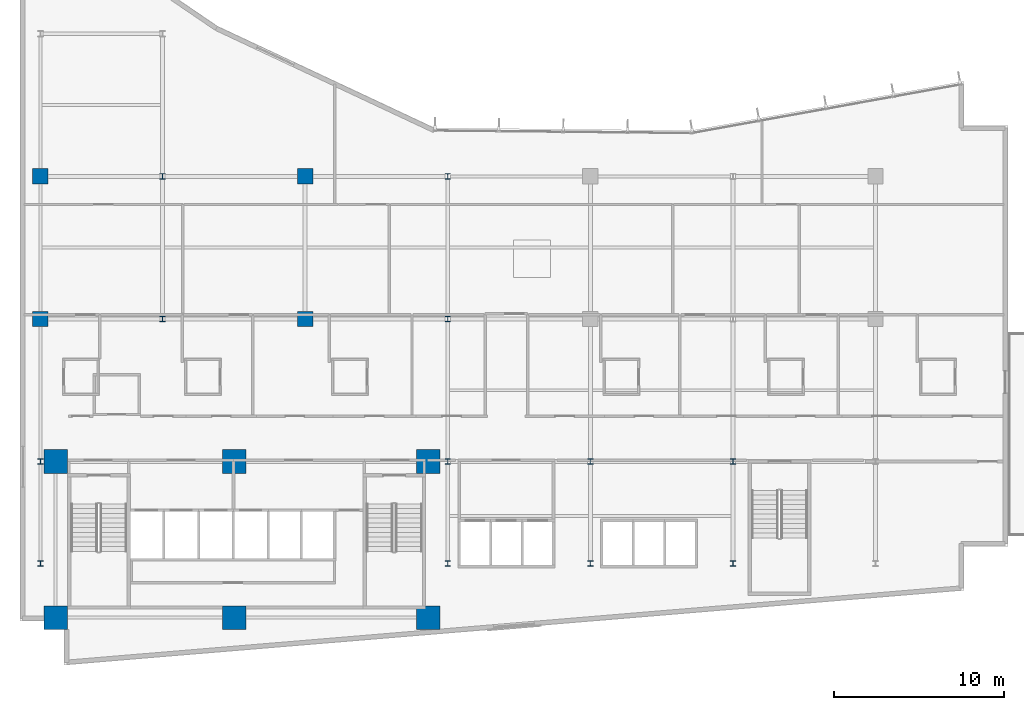
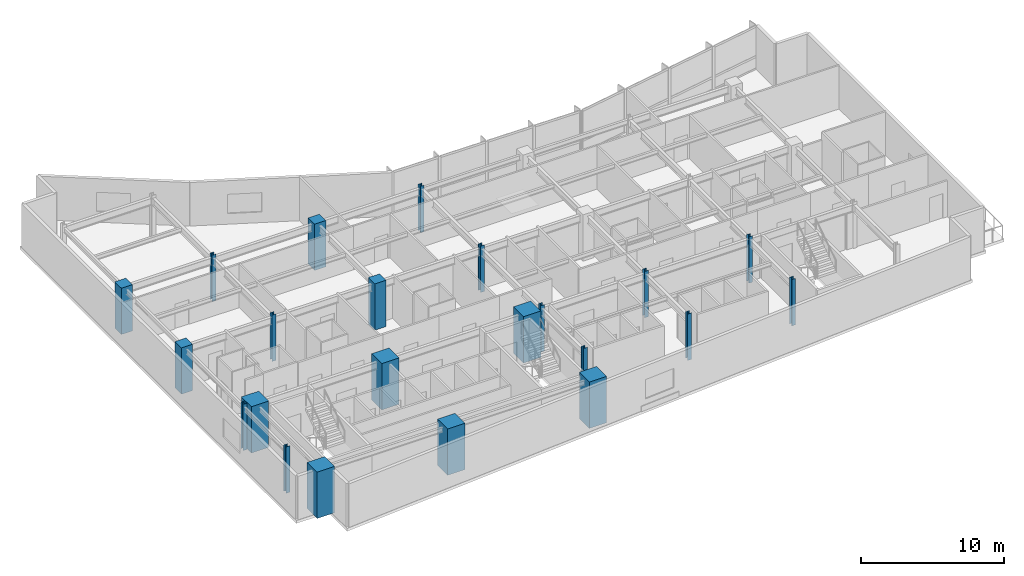
# One storey, part 1 of 19: 22 columns.
"""IFC4 building model written with IfcOpenShell, lengths in metres."""

from ifc_helpers import new_model, si_unit, direction, frame, origin, origin_2d, place, context, subcontext, project, spatial, rectangle, i_section, extrude, material, material_profile, profile_set, type_object, element, save


model = new_model("IFC4")

# Units and contexts
model_context = context("Model", 3, precision=1e-05, world=origin(), true_north=direction((0.0, 1.0)))
body_context = subcontext(model_context, "Body", "Model", "MODEL_VIEW")
ifc_project = project(units=[si_unit("LENGTHUNIT", "METRE"), si_unit("AREAUNIT", "SQUARE_METRE"), si_unit("VOLUMEUNIT", "CUBIC_METRE"), si_unit("PLANEANGLEUNIT", "RADIAN"), si_unit("MASSUNIT", "GRAM", prefix="KILO")], contexts=[model_context])

# Site, building, storey
site_placement = place(None, origin())
site = spatial("IfcSite", under=ifc_project, at=site_placement, CompositionType="ELEMENT")
building_placement = place(site_placement, origin())
building = spatial("IfcBuilding", under=site, at=building_placement, Name="Varnakote Quay Hospital", CompositionType="ELEMENT")
storey_placement = place(building_placement, frame((0.0, 0.0, 89.64990234375)))
storey = spatial("IfcBuildingStorey", under=building, at=storey_placement, Name="L22", CompositionType="ELEMENT", Elevation=89.64990234375)

# Columns
ifc_material_1 = material(Name="Concrete N80 (f'c 80 MPa)", Category="concrete")
ifc_material_profile_1 = material_profile(ifc_material_1, rectangle(XDim=1.39990234375, YDim=1.39990234375, at=origin_2d()), Name="RC-COL-1400x1400")
ifc_profile_set_1 = profile_set([ifc_material_profile_1], Name="Concrete N80 (f'c 80 MPa)")
column_type_1 = type_object("IfcColumnType", Name="COL-RC-1400", PredefinedType="COLUMN", material=ifc_profile_set_1)
for number, where, z_axis, x_axis, name in (
    (1, (2.10009765625, 2.800048828125, 0.0), (0.0, 0.0, 1.0), (1.0, 0.0, 0.0), "L22 Structural Column C-2-3"),
    (2, (12.6201171875, 2.800048828125, 0.0), (0.0, 0.0, 1.0), (1.0, 0.0, 0.0), "L22 Structural Column C-13-3"),
    (3, (24.050048828125, 2.800048828125, 0.0), (0.0, 0.0, 1.0), (1.0, 0.0, 0.0), "L22 Structural Column C-24-3"),
    (4, (2.10009765625, 12.0, 0.0), (0.0, 0.0, 1.0), (1.0, 0.0, 0.0), "L22 Structural Column C-2-12"),
    (5, (12.6201171875, 12.0, 0.0), (0.0, 0.0, 1.0), (1.0, 0.0, 0.0), "L22 Structural Column C-13-12"),
    (6, (24.050048828125, 12.0, 0.0), (0.0, 0.0, 1.0), (1.0, 0.0, 0.0), "L22 Structural Column C-24-12"),
):
    element("IfcColumn", number, at=place(storey_placement, frame(where, z_axis=z_axis, x_axis=x_axis)), inside=storey, type_object=column_type_1, Name=name, PredefinedType="COLUMN", context=body_context, shape_type="SweptSolid", body=[
        extrude(rectangle(XDim=1.39990234375, YDim=1.39990234375, at=origin_2d()), origin(), (0.0, 0.0, 1.0), 3.9501953125),
    ])
ifc_material_2 = material(Name="Concrete N50 (f'c 50 MPa)", Category="concrete")
ifc_material_profile_2 = material_profile(ifc_material_2, rectangle(XDim=0.89990234375, YDim=0.89990234375, at=origin_2d()), Name="RC-COL-900x900")
ifc_profile_set_2 = profile_set([ifc_material_profile_2], Name="Concrete N50 (f'c 50 MPa)")
column_type_2 = type_object("IfcColumnType", Name="COL-RC-900", PredefinedType="COLUMN", material=ifc_profile_set_2)
for number, where, z_axis, x_axis, name in (
    (7, (1.199951171875, 20.39990234375, 0.0), (0.0, 0.0, 1.0), (1.0, 0.0, 0.0), "L22 Structural Column C-1-20"),
    (8, (16.800048828125, 20.39990234375, 0.0), (0.0, 0.0, 1.0), (1.0, 0.0, 0.0), "L22 Structural Column C-17-20"),
    (9, (1.199951171875, 28.800048828125, 0.0), (0.0, 0.0, 1.0), (1.0, 0.0, 0.0), "L22 Structural Column C-1-29"),
    (10, (16.800048828125, 28.800048828125, 0.0), (0.0, 0.0, 1.0), (1.0, 0.0, 0.0), "L22 Structural Column C-17-29"),
):
    element("IfcColumn", number, at=place(storey_placement, frame(where, z_axis=z_axis, x_axis=x_axis)), inside=storey, type_object=column_type_2, Name=name, PredefinedType="COLUMN", context=body_context, shape_type="SweptSolid", body=[
        extrude(rectangle(XDim=0.89990234375, YDim=0.89990234375, at=origin_2d()), origin(), (0.0, 0.0, 1.0), 3.9501953125),
    ])
ifc_material_3 = material(Name="Structural steel AS/NZS 3679.1 Grade 350 L0 (fy 340 MPa)", Category="steel")
ifc_material_profile_3 = material_profile(ifc_material_3, i_section(OverallWidth=0.31103515625, OverallDepth=0.326904296875, WebThickness=0.015625, FlangeThickness=0.02490234375, FilletRadius=0.0166015625, at=origin_2d()), Name="310UC158")
ifc_profile_set_3 = profile_set([ifc_material_profile_3], Name="Structural steel AS/NZS 3679.1 Grade 350 L0 (fy 340 MPa)")
column_type_3 = type_object("IfcColumnType", Name="COL-STL-310UC158", PredefinedType="COLUMN", material=ifc_profile_set_3)
for number, where, z_axis, x_axis, name in (
    (11, (1.199951171875, 6.0, 0.0), (0.0, 0.0, 1.0), (1.0, 0.0, 0.0), "L22 Structural Column C-1-6"),
    (12, (25.199951171875, 6.0, 0.0), (0.0, 0.0, 1.0), (1.0, 0.0, 0.0), "L22 Structural Column C-25-6"),
    (13, (33.60009765625, 6.0, 0.0), (0.0, 0.0, 1.0), (1.0, 0.0, 0.0), "L22 Structural Column C-34-6"),
    (14, (42.0, 6.0, 0.0), (0.0, 0.0, 1.0), (1.0, 0.0, 0.0), "L22 Structural Column C-42-6"),
    (15, (1.199951171875, 12.0, 0.0), (0.0, 0.0, 1.0), (1.0, 0.0, 0.0), "L22 Structural Column C-1-12"),
    (16, (25.199951171875, 12.0, 0.0), (0.0, 0.0, 1.0), (1.0, 0.0, 0.0), "L22 Structural Column C-25-12"),
    (17, (33.60009765625, 12.0, 0.0), (0.0, 0.0, 1.0), (1.0, 0.0, 0.0), "L22 Structural Column C-34-12"),
    (18, (42.0, 12.0, 0.0), (0.0, 0.0, 1.0), (1.0, 0.0, 0.0), "L22 Structural Column C-42-12"),
    (19, (8.39990234375, 20.39990234375, 0.0), (0.0, 0.0, 1.0), (1.0, 0.0, 0.0), "L22 Structural Column C-8-20"),
    (20, (25.199951171875, 20.39990234375, 0.0), (0.0, 0.0, 1.0), (1.0, 0.0, 0.0), "L22 Structural Column C-25-20"),
    (21, (8.39990234375, 28.800048828125, 0.0), (0.0, 0.0, 1.0), (1.0, 0.0, 0.0), "L22 Structural Column C-8-29"),
    (22, (25.199951171875, 28.800048828125, 0.0), (0.0, 0.0, 1.0), (1.0, 0.0, 0.0), "L22 Structural Column C-25-29"),
):
    element("IfcColumn", number, at=place(storey_placement, frame(where, z_axis=z_axis, x_axis=x_axis)), inside=storey, type_object=column_type_3, Name=name, PredefinedType="COLUMN", context=body_context, shape_type="SweptSolid", body=[
        extrude(i_section(OverallWidth=0.31103515625, OverallDepth=0.326904296875, WebThickness=0.015625, FlangeThickness=0.02490234375, FilletRadius=0.0166015625, at=origin_2d()), origin(), (0.0, 0.0, 1.0), 3.9501953125),
    ])

save(model, "model.ifc")
